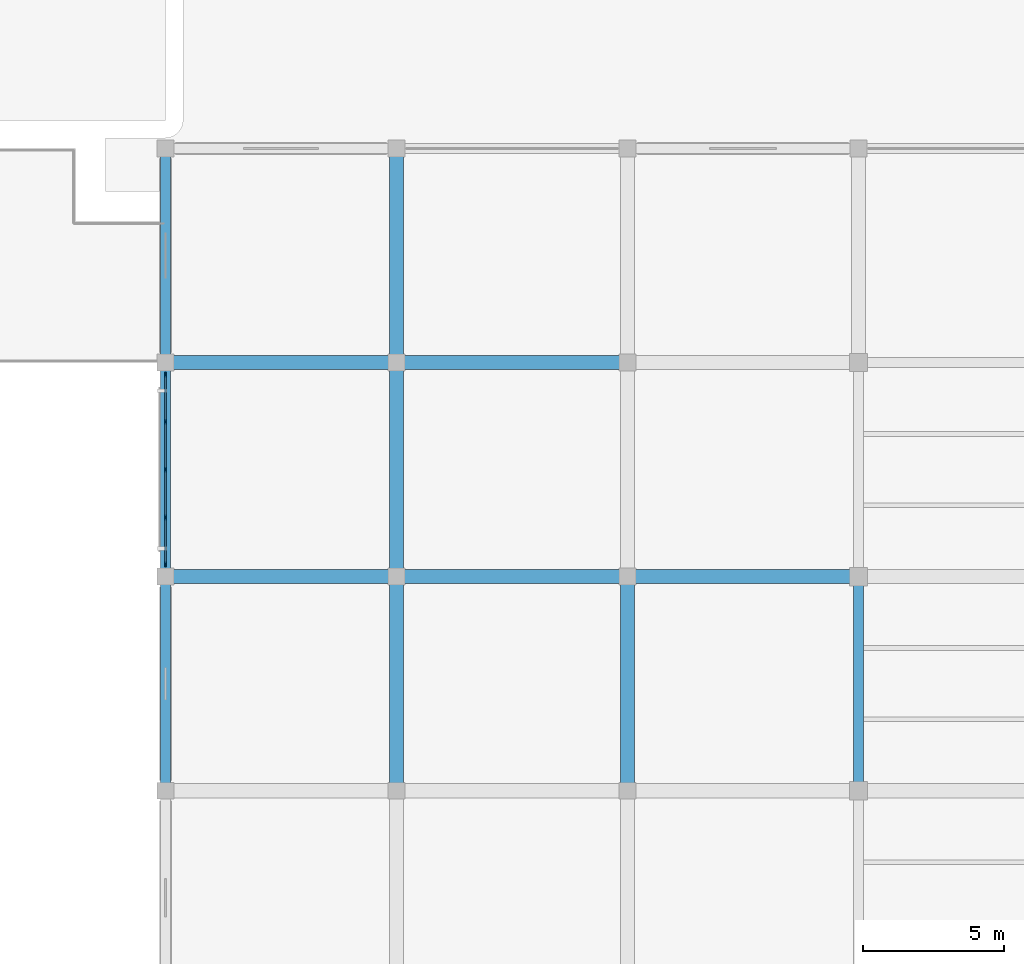
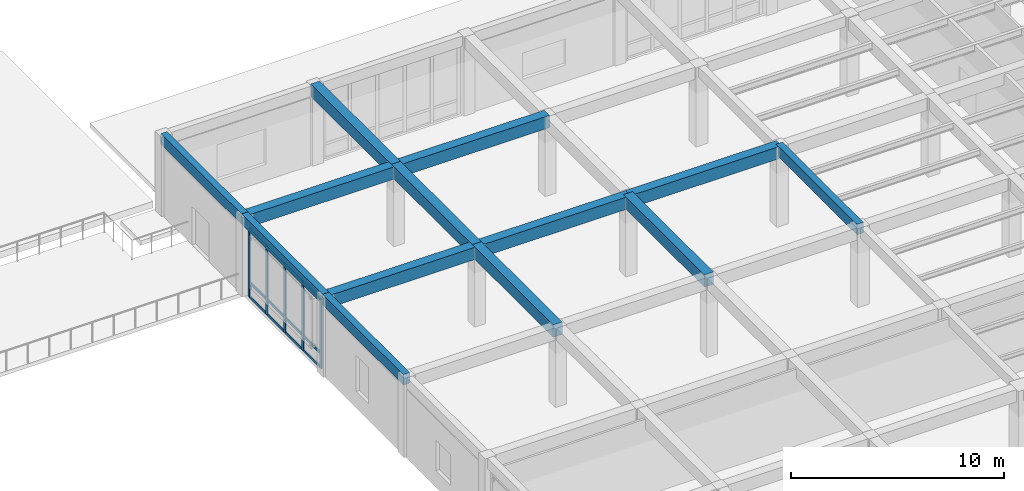
# One storey, part 21 of 49: 17 members, 13 beams, 1 element without a shape of its own.
"""IFC4 building model written with IfcOpenShell, lengths in metres."""

from ifc_helpers import new_model, si_unit, direction, frame, origin, origin_2d, place, context, subcontext, project, spatial, rectangle, extrude, material, material_profile, profile_set, type_object, element, aggregate, save


model = new_model("IFC4")

# Units and contexts
model_context = context("Model", 3, precision=1e-05, world=origin(), true_north=direction((0.0, 1.0)))
body_context = subcontext(model_context, "Body", "Model", "MODEL_VIEW")
ifc_project = project(units=[si_unit("LENGTHUNIT", "METRE"), si_unit("AREAUNIT", "SQUARE_METRE"), si_unit("VOLUMEUNIT", "CUBIC_METRE"), si_unit("PLANEANGLEUNIT", "RADIAN"), si_unit("MASSUNIT", "GRAM", prefix="KILO")], contexts=[model_context])

# Site, building, storey
site_placement = place(None, origin())
site = spatial("IfcSite", under=ifc_project, at=site_placement, CompositionType="ELEMENT")
building_placement = place(site_placement, origin())
building = spatial("IfcBuilding", under=site, at=building_placement, Name="Qandaris Square Conservatory and Botanical Centre", CompositionType="ELEMENT")
storey_placement = place(building_placement, frame((0.0, 0.0, 10.199951171875)))
storey = spatial("IfcBuildingStorey", under=building, at=storey_placement, Name="L02", CompositionType="ELEMENT", Elevation=10.199951171875)

# Curtain wall, members
ifc_material_1 = material(Name="Anodised Aluminium", Category="aluminium")
curtain_wall_type = type_object("IfcCurtainWallType", Name="Unitised Curtain Wall CW-4-680x394", PredefinedType="USERDEFINED", material=ifc_material_1)
curtain_wall_placement = place(storey_placement, origin())
curtain_wall = element("IfcCurtainWall", 1, at=curtain_wall_placement, inside=storey, type_object=curtain_wall_type, Name="Curtain Wall CW-TWR-L02-4-2", ObjectType="GLAZED CURTAIN WALL", PredefinedType="USERDEFINED")
ifc_material_profile_1 = material_profile(ifc_material_1, rectangle(XDim=0.06494140625, YDim=0.179931640625, at=origin_2d()), Name="ALU-MUL 65x180")
ifc_profile_set_1 = profile_set([ifc_material_profile_1], Name="Anodised Aluminium")
member_type_1 = type_object("IfcMemberType", Name="Curtain Wall Mullion 65x180", PredefinedType="MULLION", material=ifc_profile_set_1)
member_1_placement = place(storey_placement, frame((114.60009765625, 92.16748046875, 0.0), z_axis=(0.0, 0.0, 1.0), x_axis=(1.0, 0.0, 0.0)))
member_1 = element("IfcMember", 2, at=member_1_placement, type_object=member_type_1, Name="CW-4-680x394 mullion 1", PredefinedType="MULLION", context=body_context, shape_type="SweptSolid", body=[
    extrude(rectangle(XDim=0.06494140625, YDim=0.179931640625, at=origin_2d()), origin(), (0.0, 0.0, 1.0), 3.945068359375),
])
member_2_placement = place(storey_placement, frame((114.60009765625, 90.5, 0.0), z_axis=(0.0, 0.0, 1.0), x_axis=(1.0, 0.0, 0.0)))
member_2 = element("IfcMember", 3, at=member_2_placement, type_object=member_type_1, Name="CW-4-680x394 mullion 2", PredefinedType="MULLION", context=body_context, shape_type="SweptSolid", body=[
    extrude(rectangle(XDim=0.06494140625, YDim=0.179931640625, at=origin_2d()), origin(), (0.0, 0.0, 1.0), 3.945068359375),
])
member_3_placement = place(storey_placement, frame((114.60009765625, 88.800048828125, 0.0), z_axis=(0.0, 0.0, 1.0), x_axis=(1.0, 0.0, 0.0)))
member_3 = element("IfcMember", 4, at=member_3_placement, type_object=member_type_1, Name="CW-4-680x394 mullion 3", PredefinedType="MULLION", context=body_context, shape_type="SweptSolid", body=[
    extrude(rectangle(XDim=0.06494140625, YDim=0.179931640625, at=origin_2d()), origin(), (0.0, 0.0, 1.0), 3.945068359375),
])
member_4_placement = place(storey_placement, frame((114.60009765625, 87.10009765625, 0.0), z_axis=(0.0, 0.0, 1.0), x_axis=(1.0, 0.0, 0.0)))
member_4 = element("IfcMember", 5, at=member_4_placement, type_object=member_type_1, Name="CW-4-680x394 mullion 4", PredefinedType="MULLION", context=body_context, shape_type="SweptSolid", body=[
    extrude(rectangle(XDim=0.06494140625, YDim=0.179931640625, at=origin_2d()), origin(), (0.0, 0.0, 1.0), 3.945068359375),
])
member_5_placement = place(storey_placement, frame((114.60009765625, 85.4326171875, 0.0), z_axis=(0.0, 0.0, 1.0), x_axis=(1.0, 0.0, 0.0)))
member_5 = element("IfcMember", 6, at=member_5_placement, type_object=member_type_1, Name="CW-4-680x394 mullion 5", PredefinedType="MULLION", context=body_context, shape_type="SweptSolid", body=[
    extrude(rectangle(XDim=0.06494140625, YDim=0.179931640625, at=origin_2d()), origin(), (0.0, 0.0, 1.0), 3.945068359375),
])
ifc_material_profile_2 = material_profile(ifc_material_1, rectangle(XDim=0.06494140625, YDim=0.139892578125, at=origin_2d()), Name="ALU-TRN 65x140")
ifc_profile_set_2 = profile_set([ifc_material_profile_2], Name="Anodised Aluminium")
member_type_2 = type_object("IfcMemberType", Name="Curtain Wall Transom 65x140", PredefinedType="USERDEFINED", material=ifc_profile_set_2)
member_6_placement = place(storey_placement, frame((114.60009765625, 92.135009765625, 0.032470703125), z_axis=(0.0, -1.0, 0.0), x_axis=(1.0, 0.0, 0.0)))
member_6 = element("IfcMember", 7, at=member_6_placement, type_object=member_type_2, Name="CW-4-680x394 transom 1.1", ObjectType="TRANSOM", PredefinedType="USERDEFINED", context=body_context, shape_type="SweptSolid", body=[
    extrude(rectangle(XDim=0.06494140625, YDim=0.139892578125, at=origin_2d()), origin(), (0.0, 0.0, 1.0), 1.6025390625),
])
member_7_placement = place(storey_placement, frame((114.60009765625, 92.135009765625, 0.85009765625), z_axis=(0.0, -1.0, 0.0), x_axis=(1.0, 0.0, 0.0)))
member_7 = element("IfcMember", 8, at=member_7_placement, type_object=member_type_2, Name="CW-4-680x394 transom 1.2", ObjectType="TRANSOM", PredefinedType="USERDEFINED", context=body_context, shape_type="SweptSolid", body=[
    extrude(rectangle(XDim=0.06494140625, YDim=0.139892578125, at=origin_2d()), origin(), (0.0, 0.0, 1.0), 1.6025390625),
])
member_8_placement = place(storey_placement, frame((114.60009765625, 92.135009765625, 3.91259765625), z_axis=(0.0, -1.0, 0.0), x_axis=(1.0, 0.0, 0.0)))
member_8 = element("IfcMember", 9, at=member_8_placement, type_object=member_type_2, Name="CW-4-680x394 transom 1.3", ObjectType="TRANSOM", PredefinedType="USERDEFINED", context=body_context, shape_type="SweptSolid", body=[
    extrude(rectangle(XDim=0.06494140625, YDim=0.139892578125, at=origin_2d()), origin(), (0.0, 0.0, 1.0), 1.6025390625),
])
member_9_placement = place(storey_placement, frame((114.60009765625, 90.467529296875, 0.032470703125), z_axis=(0.0, -1.0, 0.0), x_axis=(1.0, 0.0, 0.0)))
member_9 = element("IfcMember", 10, at=member_9_placement, type_object=member_type_2, Name="CW-4-680x394 transom 2.1", ObjectType="TRANSOM", PredefinedType="USERDEFINED", context=body_context, shape_type="SweptSolid", body=[
    extrude(rectangle(XDim=0.06494140625, YDim=0.139892578125, at=origin_2d()), origin(), (0.0, 0.0, 1.0), 1.635009765625),
])
member_10_placement = place(storey_placement, frame((114.60009765625, 90.467529296875, 0.85009765625), z_axis=(0.0, -1.0, 0.0), x_axis=(1.0, 0.0, 0.0)))
member_10 = element("IfcMember", 11, at=member_10_placement, type_object=member_type_2, Name="CW-4-680x394 transom 2.2", ObjectType="TRANSOM", PredefinedType="USERDEFINED", context=body_context, shape_type="SweptSolid", body=[
    extrude(rectangle(XDim=0.06494140625, YDim=0.139892578125, at=origin_2d()), origin(), (0.0, 0.0, 1.0), 1.635009765625),
])
member_11_placement = place(storey_placement, frame((114.60009765625, 90.467529296875, 3.91259765625), z_axis=(0.0, -1.0, 0.0), x_axis=(1.0, 0.0, 0.0)))
member_11 = element("IfcMember", 12, at=member_11_placement, type_object=member_type_2, Name="CW-4-680x394 transom 2.3", ObjectType="TRANSOM", PredefinedType="USERDEFINED", context=body_context, shape_type="SweptSolid", body=[
    extrude(rectangle(XDim=0.06494140625, YDim=0.139892578125, at=origin_2d()), origin(), (0.0, 0.0, 1.0), 1.635009765625),
])
member_12_placement = place(storey_placement, frame((114.60009765625, 88.767578125, 0.032470703125), z_axis=(0.0, -1.0, 0.0), x_axis=(1.0, 0.0, 0.0)))
member_12 = element("IfcMember", 13, at=member_12_placement, type_object=member_type_2, Name="CW-4-680x394 transom 3.1", ObjectType="TRANSOM", PredefinedType="USERDEFINED", context=body_context, shape_type="SweptSolid", body=[
    extrude(rectangle(XDim=0.06494140625, YDim=0.139892578125, at=origin_2d()), origin(), (0.0, 0.0, 1.0), 1.635009765625),
])
member_13_placement = place(storey_placement, frame((114.60009765625, 88.767578125, 0.85009765625), z_axis=(0.0, -1.0, 0.0), x_axis=(1.0, 0.0, 0.0)))
member_13 = element("IfcMember", 14, at=member_13_placement, type_object=member_type_2, Name="CW-4-680x394 transom 3.2", ObjectType="TRANSOM", PredefinedType="USERDEFINED", context=body_context, shape_type="SweptSolid", body=[
    extrude(rectangle(XDim=0.06494140625, YDim=0.139892578125, at=origin_2d()), origin(), (0.0, 0.0, 1.0), 1.635009765625),
])
member_14_placement = place(storey_placement, frame((114.60009765625, 88.767578125, 3.91259765625), z_axis=(0.0, -1.0, 0.0), x_axis=(1.0, 0.0, 0.0)))
member_14 = element("IfcMember", 15, at=member_14_placement, type_object=member_type_2, Name="CW-4-680x394 transom 3.3", ObjectType="TRANSOM", PredefinedType="USERDEFINED", context=body_context, shape_type="SweptSolid", body=[
    extrude(rectangle(XDim=0.06494140625, YDim=0.139892578125, at=origin_2d()), origin(), (0.0, 0.0, 1.0), 1.635009765625),
])
member_15_placement = place(storey_placement, frame((114.60009765625, 87.0673828125, 0.032470703125), z_axis=(0.0, -1.0, 0.0), x_axis=(1.0, 0.0, 0.0)))
member_15 = element("IfcMember", 16, at=member_15_placement, type_object=member_type_2, Name="CW-4-680x394 transom 4.1", ObjectType="TRANSOM", PredefinedType="USERDEFINED", context=body_context, shape_type="SweptSolid", body=[
    extrude(rectangle(XDim=0.06494140625, YDim=0.139892578125, at=origin_2d()), origin(), (0.0, 0.0, 1.0), 1.602294921875),
])
member_16_placement = place(storey_placement, frame((114.60009765625, 87.0673828125, 0.85009765625), z_axis=(0.0, -1.0, 0.0), x_axis=(1.0, 0.0, 0.0)))
member_16 = element("IfcMember", 17, at=member_16_placement, type_object=member_type_2, Name="CW-4-680x394 transom 4.2", ObjectType="TRANSOM", PredefinedType="USERDEFINED", context=body_context, shape_type="SweptSolid", body=[
    extrude(rectangle(XDim=0.06494140625, YDim=0.139892578125, at=origin_2d()), origin(), (0.0, 0.0, 1.0), 1.602294921875),
])
member_17_placement = place(storey_placement, frame((114.60009765625, 87.0673828125, 3.91259765625), z_axis=(0.0, -1.0, 0.0), x_axis=(1.0, 0.0, 0.0)))
member_17 = element("IfcMember", 18, at=member_17_placement, type_object=member_type_2, Name="CW-4-680x394 transom 4.3", ObjectType="TRANSOM", PredefinedType="USERDEFINED", context=body_context, shape_type="SweptSolid", body=[
    extrude(rectangle(XDim=0.06494140625, YDim=0.139892578125, at=origin_2d()), origin(), (0.0, 0.0, 1.0), 1.602294921875),
])
aggregate(curtain_wall, [member_1, member_2, member_3, member_4, member_5, member_6, member_7, member_8, member_9, member_10, member_11, member_12, member_13, member_14, member_15, member_16, member_17])

# Beams
ifc_material_2 = material(Name="Concrete C50/60", Category="concrete")
ifc_material_profile_3 = material_profile(ifc_material_2, rectangle(XDim=0.35009765625, YDim=0.60009765625, at=origin_2d()), Name="RC-SP 350x600")
ifc_profile_set_3 = profile_set([ifc_material_profile_3], Name="Concrete C50/60")
beam_type_1 = type_object("IfcBeamType", Name="RC Edge Spandrel Beam 350x600", PredefinedType="SPANDREL", material=ifc_profile_set_3)
for number, where, z_axis, x_axis, name in (
    (19, (114.60009765625, 77.39990234375, 4.2451171875), (0.0, 1.0, 0.0), (-1.0, 0.0, 0.0), "L02 Frame Beam 1392"),
    (20, (114.60009765625, 85.0, 4.2451171875), (0.0, 1.0, 0.0), (-1.0, 0.0, 0.0), "L02 Frame Beam 1393"),
):
    element("IfcBeam", number, at=place(storey_placement, frame(where, z_axis=z_axis, x_axis=x_axis)), inside=storey, type_object=beam_type_1, Name=name, PredefinedType="SPANDREL", context=body_context, shape_type="SweptSolid", body=[
        extrude(rectangle(XDim=0.35009765625, YDim=0.60009765625, at=origin_2d()), origin(), (0.0, 0.0, 1.0), 7.60009765625),
    ])
beam_1_placement = place(storey_placement, frame((114.60009765625, 92.60009765625, 4.2451171875), z_axis=(0.0, 1.0, 0.0), x_axis=(-1.0, 0.0, 0.0)))
element("IfcBeam", 21, at=beam_1_placement, inside=storey, type_object=beam_type_1, Name="L02 Frame Beam 1394", PredefinedType="SPANDREL", context=body_context, shape_type="SweptSolid", body=[
    extrude(rectangle(XDim=0.35009765625, YDim=0.60009765625, at=origin_2d()), origin(), (0.0, 0.0, 1.0), 7.599853515625),
])
beam_2_placement = place(storey_placement, frame((139.199951171875, 77.39990234375, 4.2451171875), z_axis=(0.0, 1.0, 0.0), x_axis=(-1.0, 0.0, 0.0)))
element("IfcBeam", 22, at=beam_2_placement, inside=storey, type_object=beam_type_1, Name="L02 Frame Beam 1425", PredefinedType="SPANDREL", context=body_context, shape_type="SweptSolid", body=[
    extrude(rectangle(XDim=0.35009765625, YDim=0.60009765625, at=origin_2d()), origin(), (0.0, 0.0, 1.0), 7.60009765625),
])
ifc_material_profile_4 = material_profile(ifc_material_2, rectangle(XDim=0.5, YDim=0.699951171875, at=origin_2d()), Name="RC-BM 500x700")
ifc_profile_set_4 = profile_set([ifc_material_profile_4], Name="Concrete C50/60")
beam_type_2 = type_object("IfcBeamType", Name="RC Floor Girder 500x700", PredefinedType="BEAM", material=ifc_profile_set_4)
for number, where, z_axis, x_axis, name in (
    (23, (114.60009765625, 85.0, 4.195068359375), (1.0, 0.0, 0.0), (0.0, 1.0, 0.0), "L02 Frame Beam 1359"),
    (24, (122.800048828125, 85.0, 4.195068359375), (1.0, 0.0, 0.0), (0.0, 1.0, 0.0), "L02 Frame Beam 1360"),
    (25, (131.0, 85.0, 4.195068359375), (1.0, 0.0, 0.0), (0.0, 1.0, 0.0), "L02 Frame Beam 1361"),
    (26, (114.60009765625, 92.60009765625, 4.195068359375), (1.0, 0.0, 0.0), (0.0, 1.0, 0.0), "L02 Frame Beam 1365"),
    (27, (122.800048828125, 92.60009765625, 4.195068359375), (1.0, 0.0, 0.0), (0.0, 1.0, 0.0), "L02 Frame Beam 1366"),
):
    element("IfcBeam", number, at=place(storey_placement, frame(where, z_axis=z_axis, x_axis=x_axis)), inside=storey, type_object=beam_type_2, Name=name, PredefinedType="BEAM", context=body_context, shape_type="SweptSolid", body=[
        extrude(rectangle(XDim=0.5, YDim=0.699951171875, at=origin_2d()), origin(), (0.0, 0.0, 1.0), 8.199951171875),
    ])
for number, where, z_axis, x_axis, name in (
    (28, (122.800048828125, 77.39990234375, 4.195068359375), (0.0, 1.0, 0.0), (-1.0, 0.0, 0.0), "L02 Frame Beam 1403"),
    (29, (122.800048828125, 85.0, 4.195068359375), (0.0, 1.0, 0.0), (-1.0, 0.0, 0.0), "L02 Frame Beam 1404"),
):
    element("IfcBeam", number, at=place(storey_placement, frame(where, z_axis=z_axis, x_axis=x_axis)), inside=storey, type_object=beam_type_2, Name=name, PredefinedType="BEAM", context=body_context, shape_type="SweptSolid", body=[
        extrude(rectangle(XDim=0.5, YDim=0.699951171875, at=origin_2d()), origin(), (0.0, 0.0, 1.0), 7.60009765625),
    ])
beam_3_placement = place(storey_placement, frame((122.800048828125, 92.60009765625, 4.195068359375), z_axis=(0.0, 1.0, 0.0), x_axis=(-1.0, 0.0, 0.0)))
element("IfcBeam", 30, at=beam_3_placement, inside=storey, type_object=beam_type_2, Name="L02 Frame Beam 1405", PredefinedType="BEAM", context=body_context, shape_type="SweptSolid", body=[
    extrude(rectangle(XDim=0.5, YDim=0.699951171875, at=origin_2d()), origin(), (0.0, 0.0, 1.0), 7.599853515625),
])
beam_4_placement = place(storey_placement, frame((131.0, 77.39990234375, 4.195068359375), z_axis=(0.0, 1.0, 0.0), x_axis=(-1.0, 0.0, 0.0)))
element("IfcBeam", 31, at=beam_4_placement, inside=storey, type_object=beam_type_2, Name="L02 Frame Beam 1414", PredefinedType="BEAM", context=body_context, shape_type="SweptSolid", body=[
    extrude(rectangle(XDim=0.5, YDim=0.699951171875, at=origin_2d()), origin(), (0.0, 0.0, 1.0), 7.60009765625),
])

save(model, "model.ifc")
